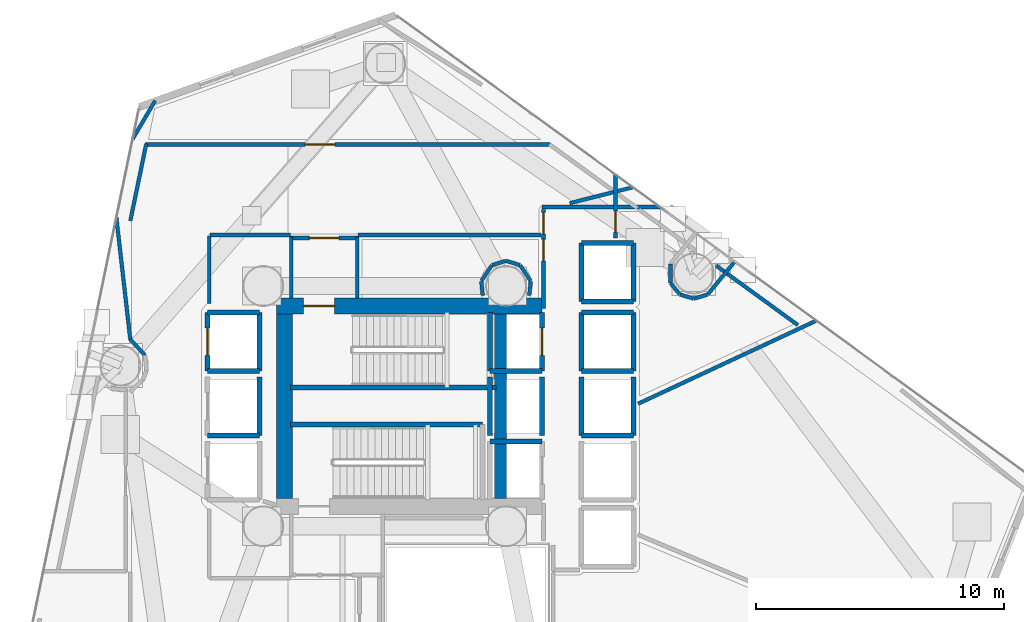
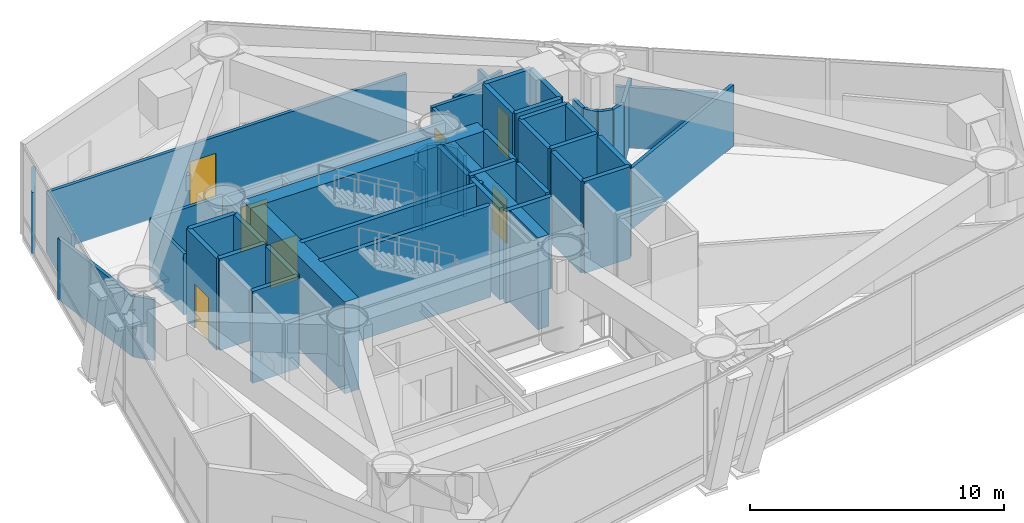
# One storey, part 18 of 22: 56 walls, 8 doors, 8 openings.
"""IFC4 building model written with IfcOpenShell, lengths in metres."""

from ifc_helpers import new_model, si_unit, direction, frame, frame_2d, origin, place, context, subcontext, project, spatial, rectangle, extrude, material, layer, layer_set, type_object, element, fill, save


model = new_model("IFC4")

# Units and contexts
model_context = context("Model", 3, precision=1e-05, world=origin(), true_north=direction((0.0, 1.0)))
body_context = subcontext(model_context, "Body", "Model", "MODEL_VIEW")
ifc_project = project(units=[si_unit("LENGTHUNIT", "METRE"), si_unit("AREAUNIT", "SQUARE_METRE"), si_unit("VOLUMEUNIT", "CUBIC_METRE"), si_unit("PLANEANGLEUNIT", "RADIAN"), si_unit("MASSUNIT", "GRAM", prefix="KILO")], contexts=[model_context])

# Site, building, storey
site_placement = place(None, origin())
site = spatial("IfcSite", under=ifc_project, at=site_placement, CompositionType="ELEMENT")
building_placement = place(site_placement, origin())
building = spatial("IfcBuilding", under=site, at=building_placement, Name="Qianvela Tower", CompositionType="ELEMENT")
storey_placement = place(building_placement, frame((0.0, 0.0, 93.199951171875)))
storey = spatial("IfcBuildingStorey", under=building, at=storey_placement, Name="L23", CompositionType="ELEMENT", Elevation=93.199951171875)

# Wall, opening, door
ifc_material_1 = material(Name="Concrete C60", Category="concrete")
ifc_layer_1 = layer(ifc_material_1, 0.64990234375)
ifc_layer_set_1 = layer_set([ifc_layer_1], Name="Concrete C60")
wall_type_1 = type_object("IfcWallType", Name="WT-CORE-650", PredefinedType="SHEAR", material=ifc_layer_set_1)
wall_1_placement = place(storey_placement, frame((29.1298828125, 32.7451171875, 0.0), z_axis=(0.0, 0.0, 1.0), x_axis=(1.0, 0.0, 0.0)))
wall_1 = element("IfcWall", 1, at=wall_1_placement, inside=storey, type_object=wall_type_1, Name="L23 North Core Shear Wall", PredefinedType="SHEAR", context=body_context, shape_type="SweptSolid", body=[
    extrude(rectangle(XDim=10.72021484375, YDim=0.64990234375, at=frame_2d((5.360107421875, 0.0))), origin(), (0.0, 0.0, 1.0), 4.420166015625),
])
opening_1_placement = place(wall_1_placement, frame((1.094970703125, 0.0, 0.0)))
opening_1 = element("IfcOpeningElement", 2, at=opening_1_placement, cuts=wall_1, Name="Opening D-ST1", PredefinedType="OPENING", context=body_context, shape_type="SweptSolid", body=[
    extrude(rectangle(XDim=1.25, YDim=2.14990234375, at=frame_2d((0.625, 1.074951171875))), frame((0.0, 0.3349609375, 0.0), z_axis=(0.0, -1.0, 0.0), x_axis=(1.0, 0.0, 0.0)), (0.0, 0.0, 1.0), 0.669921875),
])
ifc_material_2 = material(Name="Galvanised Fire Steel Q355B", Category="steel")
door_type_1 = type_object("IfcDoorType", Name="DT-STAIR-FD90", OperationType="NOTDEFINED", PredefinedType="DOOR", material=ifc_material_2)
door_1_placement = place(opening_1_placement, origin())
door_1 = element("IfcDoor", 3, at=door_1_placement, inside=storey, type_object=door_type_1, Name="L23 Stair ST-1 Exit Door", OperationType="SINGLE_SWING_RIGHT", OverallHeight=2.14990234375, OverallWidth=1.25, PredefinedType="DOOR", context=body_context, shape_type="SweptSolid", body=[
    extrude(rectangle(XDim=1.25, YDim=2.14990234375, at=frame_2d((0.625, 1.074951171875))), frame((0.0, 0.02490234375, 0.0), z_axis=(0.0, -1.0, 0.0), x_axis=(1.0, 0.0, 0.0)), (0.0, 0.0, 1.0), 0.050048828125),
])
fill(opening_1, door_1)

# Walls
wall_2_placement = place(storey_placement, frame((29.455078125, 24.97998046875, 0.0), z_axis=(0.0, 0.0, 1.0), x_axis=(0.0, 1.0, 0.0)))
element("IfcWall", 4, at=wall_2_placement, inside=storey, type_object=wall_type_1, Name="L23 West Core Shear Wall", PredefinedType="SHEAR", context=body_context, shape_type="SweptSolid", body=[
    extrude(rectangle(XDim=7.43994140625, YDim=0.64990234375, at=frame_2d((3.719970703125, 0.0))), origin(), (0.0, 0.0, 1.0), 4.420166015625),
])
wall_3_placement = place(storey_placement, frame((38.179931640625, 24.97998046875, 0.0), z_axis=(0.0, 0.0, 1.0), x_axis=(0.0, 1.0, 0.0)))
element("IfcWall", 5, at=wall_3_placement, inside=storey, type_object=wall_type_1, Name="L23 East Spine Core Shear Wall", PredefinedType="SHEAR", context=body_context, shape_type="SweptSolid", body=[
    extrude(rectangle(XDim=7.43994140625, YDim=0.5, at=frame_2d((3.719970703125, 0.0))), origin(), (0.0, 0.0, 1.0), 4.420166015625),
])
ifc_material_3 = material(Name="Fire-Rated Acoustic Gypsum Board")
ifc_layer_2 = layer(ifc_material_3, 0.14990234375)
ifc_layer_set_2 = layer_set([ifc_layer_2], Name="Fire-Rated Acoustic Gypsum Board")
wall_type_2 = type_object("IfcWallType", Name="WT-CORR-150", PredefinedType="PARTITIONING", material=ifc_layer_set_2)
wall_4_placement = place(storey_placement, frame((29.73095703125, 33.05810546875, 0.0), z_axis=(0.0, 0.0, 1.0), x_axis=(0.0, 1.0, 0.0)))
element("IfcWall", 6, at=wall_4_placement, inside=storey, type_object=wall_type_2, Name="L23 Partition 2", PredefinedType="PARTITIONING", context=body_context, shape_type="SweptSolid", body=[
    extrude(rectangle(XDim=2.4619140625, YDim=0.14990234375, at=frame_2d((1.23095703125, 0.0))), origin(), (0.0, 0.0, 1.0), 2.93994140625),
])

# Wall, opening, door
wall_5_placement = place(storey_placement, frame((29.699951171875, 35.489013671875, 0.0), z_axis=(0.0, 0.0, 1.0), x_axis=(1.0, 0.0, 0.0)))
wall_5 = element("IfcWall", 7, at=wall_5_placement, inside=storey, type_object=wall_type_2, Name="L23 Partition 3", PredefinedType="PARTITIONING", context=body_context, shape_type="SweptSolid", body=[
    extrude(rectangle(XDim=2.719970703125, YDim=0.14990234375, at=frame_2d((1.35986328125, 0.0))), origin(), (0.0, 0.0, 1.0), 2.93994140625),
])
opening_2_placement = place(wall_5_placement, frame((0.760009765625, 0.0, 0.0)))
opening_2 = element("IfcOpeningElement", 8, at=opening_2_placement, cuts=wall_5, Name="Opening D-LB1", PredefinedType="OPENING", context=body_context, shape_type="SweptSolid", body=[
    extrude(rectangle(XDim=1.199951171875, YDim=2.14990234375, at=frame_2d((0.60009765625, 1.074951171875))), frame((0.0, 0.0849609375, 0.0), z_axis=(0.0, -1.0, 0.0), x_axis=(1.0, 0.0, 0.0)), (0.0, 0.0, 1.0), 0.169921875),
])
ifc_material_4 = material(Name="Glazed Fire-Rated Steel Frame", Category="steel")
door_type_2 = type_object("IfcDoorType", Name="DT-LOBBY-FD90", OperationType="NOTDEFINED", PredefinedType="DOOR", material=ifc_material_4)
door_2_placement = place(opening_2_placement, origin())
door_2 = element("IfcDoor", 9, at=door_2_placement, inside=storey, type_object=door_type_2, Name="L23 Door L23 Firefighting Lobby North to L23 Mechanical Plant Corridor", OperationType="SINGLE_SWING_LEFT", OverallHeight=2.14990234375, OverallWidth=1.199951171875, PredefinedType="DOOR", context=body_context, shape_type="SweptSolid", body=[
    extrude(rectangle(XDim=1.199951171875, YDim=2.14990234375, at=frame_2d((0.60009765625, 1.074951171875))), frame((0.0, 0.02490234375, 0.0), z_axis=(0.0, -1.0, 0.0), x_axis=(1.0, 0.0, 0.0)), (0.0, 0.0, 1.0), 0.050048828125),
])
fill(opening_2, door_2)

# Wall
wall_6_placement = place(storey_placement, frame((32.388916015625, 35.52001953125, 0.0), z_axis=(0.0, 0.0, 1.0), x_axis=(0.0, -1.0, 0.0)))
element("IfcWall", 10, at=wall_6_placement, inside=storey, type_object=wall_type_2, Name="L23 Partition 4", PredefinedType="PARTITIONING", context=body_context, shape_type="SweptSolid", body=[
    extrude(rectangle(XDim=2.4619140625, YDim=0.14990234375, at=frame_2d((1.23095703125, 0.0))), origin(), (0.0, 0.0, 1.0), 2.93994140625),
])

# Wall, openings, doors
wall_7_placement = place(storey_placement, frame((39.910888671875, 32.639892578125, 0.0), z_axis=(0.0, 0.0, 1.0), x_axis=(0.0, 1.0, 0.0)))
wall_7 = element("IfcWall", 11, at=wall_7_placement, inside=storey, type_object=wall_type_2, Name="L23 Partition 10", PredefinedType="PARTITIONING", context=body_context, shape_type="SweptSolid", body=[
    extrude(rectangle(XDim=4.010009765625, YDim=0.14990234375, at=frame_2d((2.0048828125, 0.0))), origin(), (0.0, 0.0, 1.0), 2.93994140625),
])
opening_3_placement = place(wall_7_placement, frame((3.010009765625, 0.0, 0.0)))
opening_3 = element("IfcOpeningElement", 12, at=opening_3_placement, cuts=wall_7, Name="Opening D-LB2", PredefinedType="OPENING", context=body_context, shape_type="SweptSolid", body=[
    extrude(rectangle(XDim=0.860107421875, YDim=2.050048828125, at=frame_2d((0.43017578125, 1.02490234375))), frame((0.0, 0.0849609375, 0.0), z_axis=(0.0, -1.0, 0.0), x_axis=(1.0, 0.0, 0.0)), (0.0, 0.0, 1.0), 0.169921875),
])
opening_4_placement = place(wall_7_placement, frame((1.930419921875, 0.0, 0.0)))
opening_4 = element("IfcOpeningElement", 13, at=opening_4_placement, cuts=wall_7, Name="Opening D-LB2", PredefinedType="OPENING", context=body_context, shape_type="SweptSolid", body=[
    extrude(rectangle(XDim=0.860107421875, YDim=2.050048828125, at=frame_2d((0.43017578125, 1.02490234375))), frame((0.0, 0.0849609375, 0.0), z_axis=(0.0, -1.0, 0.0), x_axis=(1.0, 0.0, 0.0)), (0.0, 0.0, 1.0), 0.169921875),
])
ifc_material_5 = material(Name="Insulated Steel Fire Door Q355B", Category="steel")
door_type_3 = type_object("IfcDoorType", Name="DT-LOBBY-FD90-860", OperationType="NOTDEFINED", PredefinedType="DOOR", material=ifc_material_5)
door_3_placement = place(opening_3_placement, origin())
door_3 = element("IfcDoor", 14, at=door_3_placement, inside=storey, type_object=door_type_3, Name="L23 Door L23 Lift Lobby to L23 Mechanical Plant Corridor", OperationType="SINGLE_SWING_LEFT", OverallHeight=2.050048828125, OverallWidth=0.860107421875, PredefinedType="DOOR", context=body_context, shape_type="SweptSolid", body=[
    extrude(rectangle(XDim=0.860107421875, YDim=2.050048828125, at=frame_2d((0.43017578125, 1.02490234375))), frame((0.0, 0.02490234375, 0.0), z_axis=(0.0, -1.0, 0.0), x_axis=(1.0, 0.0, 0.0)), (0.0, 0.0, 1.0), 0.050048828125),
])
fill(opening_3, door_3)
door_4_placement = place(opening_4_placement, origin())
door_4 = element("IfcDoor", 15, at=door_4_placement, inside=storey, type_object=door_type_3, Name="L23 Door L23 Electrical Transformer and Switch Room to L23 Lift Lobby", OperationType="SINGLE_SWING_RIGHT", OverallHeight=2.050048828125, OverallWidth=0.860107421875, PredefinedType="DOOR", context=body_context, shape_type="SweptSolid", body=[
    extrude(rectangle(XDim=0.860107421875, YDim=2.050048828125, at=frame_2d((0.43017578125, 1.02490234375))), frame((0.0, 0.02490234375, 0.0), z_axis=(0.0, -1.0, 0.0), x_axis=(1.0, 0.0, 0.0)), (0.0, 0.0, 1.0), 0.050048828125),
])
fill(opening_4, door_4)

# Wall
wall_8_placement = place(storey_placement, frame((40.97802734375, 36.89599609375, 0.0), z_axis=(0.0, 0.0, 1.0), x_axis=(0.969602772959, 0.244684414441, 0.0)))
element("IfcWall", 16, at=wall_8_placement, inside=storey, type_object=wall_type_2, Name="L23 Partition 11", PredefinedType="PARTITIONING", context=body_context, shape_type="SweptSolid", body=[
    extrude(rectangle(XDim=2.619140625, YDim=0.14990234375, at=frame_2d((1.3095703125, 0.0))), origin(), (0.0, 0.0, 1.0), 2.93994140625),
])

# Wall, opening, door
wall_9_placement = place(storey_placement, frame((42.819091796875, 38.06494140625, 0.0), z_axis=(0.0, 0.0, 1.0), x_axis=(0.0, -1.0, 0.0)))
wall_9 = element("IfcWall", 17, at=wall_9_placement, inside=storey, type_object=wall_type_2, Name="L23 Partition 12", PredefinedType="PARTITIONING", context=body_context, shape_type="SweptSolid", body=[
    extrude(rectangle(XDim=2.5849609375, YDim=0.14990234375, at=frame_2d((1.29248046875, 0.0))), origin(), (0.0, 0.0, 1.0), 2.93994140625),
])
opening_5_placement = place(wall_9_placement, frame((1.489013671875, 0.0, 0.0)))
opening_5 = element("IfcOpeningElement", 18, at=opening_5_placement, cuts=wall_9, Name="Opening D-LB2", PredefinedType="OPENING", context=body_context, shape_type="SweptSolid", body=[
    extrude(rectangle(XDim=0.860107421875, YDim=2.050048828125, at=frame_2d((0.43017578125, 1.02490234375))), frame((0.0, 0.0849609375, 0.0), z_axis=(0.0, -1.0, 0.0), x_axis=(1.0, 0.0, 0.0)), (0.0, 0.0, 1.0), 0.169921875),
])
door_5_placement = place(opening_5_placement, origin())
door_5 = element("IfcDoor", 19, at=door_5_placement, inside=storey, type_object=door_type_3, Name="L23 Door L23 Air Handling and Smoke Exhaust Plant Room to L23 Lift Lobby", OperationType="SINGLE_SWING_LEFT", OverallHeight=2.050048828125, OverallWidth=0.860107421875, PredefinedType="DOOR", context=body_context, shape_type="SweptSolid", body=[
    extrude(rectangle(XDim=0.860107421875, YDim=2.050048828125, at=frame_2d((0.43017578125, 1.02490234375))), frame((0.0, 0.02490234375, 0.0), z_axis=(0.0, -1.0, 0.0), x_axis=(1.0, 0.0, 0.0)), (0.0, 0.0, 1.0), 0.050048828125),
])
fill(opening_5, door_5)

# Walls
wall_10_placement = place(storey_placement, frame((23.817138671875, 30.760986328125, 0.0), z_axis=(0.0, 0.0, 1.0), x_axis=(-0.679936833798, 0.733270688112, 0.0)))
element("IfcWall", 20, at=wall_10_placement, inside=storey, type_object=wall_type_2, Name="L23 Partition 42", PredefinedType="PARTITIONING", context=body_context, shape_type="SweptSolid", body=[
    extrude(rectangle(XDim=0.874267578125, YDim=0.14990234375, at=frame_2d((0.43701171875, 0.0))), origin(), (0.0, 0.0, 1.0), 2.93994140625),
])
wall_11_placement = place(storey_placement, frame((23.23095703125, 31.380859375, 0.0), z_axis=(0.0, 0.0, 1.0), x_axis=(-0.113685510306, 0.993516786344, 0.0)))
element("IfcWall", 21, at=wall_11_placement, inside=storey, type_object=wall_type_2, Name="L23 Partition 43", PredefinedType="PARTITIONING", context=body_context, shape_type="SweptSolid", body=[
    extrude(rectangle(XDim=4.95654296875, YDim=0.14990234375, at=frame_2d((2.478271484375, 0.0))), origin(), (0.0, 0.0, 1.0), 2.93994140625),
])
wall_12_placement = place(storey_placement, frame((23.23046875, 36.182373046875, 0.0), z_axis=(0.0, 0.0, 1.0), x_axis=(0.202407399899, 0.979301406343, 0.0)))
element("IfcWall", 22, at=wall_12_placement, inside=storey, type_object=wall_type_2, Name="L23 Partition 44", PredefinedType="PARTITIONING", context=body_context, shape_type="SweptSolid", body=[
    extrude(rectangle(XDim=3.177001953125, YDim=0.14990234375, at=frame_2d((1.58837890625, 0.0))), origin(), (0.0, 0.0, 1.0), 2.93994140625),
])

# Wall, opening, door
wall_13_placement = place(storey_placement, frame((23.84326171875, 39.26904296875, 0.0), z_axis=(0.0, 0.0, 1.0), x_axis=(1.0, 0.0, 0.0)))
wall_13 = element("IfcWall", 23, at=wall_13_placement, inside=storey, type_object=wall_type_2, Name="L23 Partition 45", PredefinedType="PARTITIONING", context=body_context, shape_type="SweptSolid", body=[
    extrude(rectangle(XDim=16.323974609375, YDim=0.14990234375, at=frame_2d((8.162109375, 0.0))), origin(), (0.0, 0.0, 1.0), 2.93994140625),
])
opening_6_placement = place(wall_13_placement, frame((6.44189453125, 0.0, 0.0)))
opening_6 = element("IfcOpeningElement", 24, at=opening_6_placement, cuts=wall_13, Name="Opening D-LB1", PredefinedType="OPENING", context=body_context, shape_type="SweptSolid", body=[
    extrude(rectangle(XDim=1.199951171875, YDim=2.14990234375, at=frame_2d((0.60009765625, 1.074951171875))), frame((0.0, 0.0849609375, 0.0), z_axis=(0.0, -1.0, 0.0), x_axis=(1.0, 0.0, 0.0)), (0.0, 0.0, 1.0), 0.169921875),
])
door_6_placement = place(opening_6_placement, origin())
door_6 = element("IfcDoor", 25, at=door_6_placement, inside=storey, type_object=door_type_2, Name="L23 Door L23 Fire Refuge Area 3 to L23 Mechanical Plant Corridor", OperationType="SINGLE_SWING_RIGHT", OverallHeight=2.14990234375, OverallWidth=1.199951171875, PredefinedType="DOOR", context=body_context, shape_type="SweptSolid", body=[
    extrude(rectangle(XDim=1.199951171875, YDim=2.14990234375, at=frame_2d((0.60009765625, 1.074951171875))), frame((0.0, 0.02490234375, 0.0), z_axis=(0.0, -1.0, 0.0), x_axis=(1.0, 0.0, 0.0)), (0.0, 0.0, 1.0), 0.050048828125),
])
fill(opening_6, door_6)

# Walls
wall_14_placement = place(storey_placement, frame((44.628173828125, 36.74365234375, 0.0), z_axis=(0.0, 0.0, 1.0), x_axis=(-0.999999742855, -0.000717139453, 0.0)))
element("IfcWall", 26, at=wall_14_placement, inside=storey, type_object=wall_type_2, Name="L23 Partition 47", PredefinedType="PARTITIONING", context=body_context, shape_type="SweptSolid", body=[
    extrude(rectangle(XDim=4.76611328125, YDim=0.14990234375, at=frame_2d((2.383056640625, 0.0))), origin(), (0.0, 0.0, 1.0), 2.93994140625),
])
wall_15_placement = place(storey_placement, frame((39.818115234375, 35.611083984375, 0.0), z_axis=(0.0, 0.0, 1.0), x_axis=(-1.0, 0.0, 0.0)))
element("IfcWall", 27, at=wall_15_placement, inside=storey, type_object=wall_type_2, Name="L23 Partition 49 seg 1", PredefinedType="PARTITIONING", context=body_context, shape_type="SweptSolid", body=[
    extrude(rectangle(XDim=7.398193359375, YDim=0.14990234375, at=frame_2d((3.69921875, 0.0))), origin(), (0.0, 0.0, 1.0), 2.93994140625),
])
wall_16_placement = place(storey_placement, frame((29.699951171875, 35.611083984375, 0.0), z_axis=(0.0, 0.0, 1.0), x_axis=(-1.0, 0.0, 0.0)))
element("IfcWall", 28, at=wall_16_placement, inside=storey, type_object=wall_type_2, Name="L23 Partition 49 seg 2", PredefinedType="PARTITIONING", context=body_context, shape_type="SweptSolid", body=[
    extrude(rectangle(XDim=3.25, YDim=0.14990234375, at=frame_2d((1.625, 0.0))), origin(), (0.0, 0.0, 1.0), 2.93994140625),
])
wall_17_placement = place(storey_placement, frame((26.4189453125, 35.580078125, 0.0), z_axis=(0.0, 0.0, 1.0), x_axis=(0.0, -1.0, 0.0)))
element("IfcWall", 29, at=wall_17_placement, inside=storey, type_object=wall_type_2, Name="L23 Partition 50", PredefinedType="PARTITIONING", context=body_context, shape_type="SweptSolid", body=[
    extrude(rectangle(XDim=2.728271484375, YDim=0.14990234375, at=frame_2d((1.3642578125, 0.0))), origin(), (0.0, 0.0, 1.0), 2.93994140625),
])
wall_18_placement = place(storey_placement, frame((23.325927734375, 39.490234375, 0.0), z_axis=(0.0, 0.0, 1.0), x_axis=(0.506460438257, 0.862263199076, 0.0)))
element("IfcWall", 30, at=wall_18_placement, inside=storey, type_object=wall_type_2, Name="L23 Partition 66", PredefinedType="PARTITIONING", context=body_context, shape_type="SweptSolid", body=[
    extrude(rectangle(XDim=1.792236328125, YDim=0.14990234375, at=frame_2d((0.89599609375, 0.0))), origin(), (0.0, 0.0, 1.0), 2.93994140625),
])
wall_19_placement = place(storey_placement, frame((43.733154296875, 28.795166015625, 0.0), z_axis=(0.0, 0.0, 1.0), x_axis=(0.906319515089, 0.422593109941, 0.0)))
element("IfcWall", 31, at=wall_19_placement, inside=storey, type_object=wall_type_2, Name="L23 Partition 82", PredefinedType="PARTITIONING", context=body_context, shape_type="SweptSolid", body=[
    extrude(rectangle(XDim=7.955322265625, YDim=0.14990234375, at=frame_2d((3.9775390625, 0.0))), origin(), (0.0, 0.0, 1.0), 2.93994140625),
])
wall_20_placement = place(storey_placement, frame((45.04296875, 34.433837890625, 0.0), z_axis=(0.0, 0.0, 1.0), x_axis=(0.0, -1.0, 0.0)))
element("IfcWall", 32, at=wall_20_placement, inside=storey, type_object=wall_type_2, Name="L23 Partition 101", PredefinedType="PARTITIONING", context=body_context, shape_type="SweptSolid", body=[
    extrude(rectangle(XDim=0.753662109375, YDim=0.14990234375, at=frame_2d((0.376953125, 0.0))), origin(), (0.0, 0.0, 1.0), 2.93994140625),
])
for number, where, z_axis, x_axis, name in (
    (33, (45.050048828125, 33.660400390625, 0.0), (0.0, 0.0, 1.0), (0.634329694458, -0.773062635709, 0.0), "L23 Partition 102"),
    (34, (45.427734375, 33.208251953125, 0.0), (0.0, 0.0, 1.0), (0.956952578659, -0.290244314669, 0.0), "L23 Partition 103"),
    (35, (45.992919921875, 33.042236328125, 0.0), (0.0, 0.0, 1.0), (0.956952578659, 0.290244314669, 0.0), "L23 Partition 104"),
):
    element("IfcWall", number, at=place(storey_placement, frame(where, z_axis=z_axis, x_axis=x_axis)), inside=storey, type_object=wall_type_2, Name=name, PredefinedType="PARTITIONING", context=body_context, shape_type="SweptSolid", body=[
        extrude(rectangle(XDim=0.572021484375, YDim=0.14990234375, at=frame_2d((0.2861328125, 0.0))), origin(), (0.0, 0.0, 1.0), 2.93994140625),
    ])
wall_21_placement = place(storey_placement, frame((46.55517578125, 33.21826171875, 0.0), z_axis=(0.0, 0.0, 1.0), x_axis=(0.634344749857, 0.773050281889, 0.0)))
element("IfcWall", 36, at=wall_21_placement, inside=storey, type_object=wall_type_2, Name="L23 Partition 105", PredefinedType="PARTITIONING", context=body_context, shape_type="SweptSolid", body=[
    extrude(rectangle(XDim=1.728515625, YDim=0.14990234375, at=frame_2d((0.8642578125, 0.0))), origin(), (0.0, 0.0, 1.0), 2.93994140625),
])
wall_22_placement = place(storey_placement, frame((46.88623046875, 34.3740234375, 0.0), z_axis=(0.0, 0.0, 1.0), x_axis=(0.808707605228, -0.58821085441, 0.0)))
element("IfcWall", 37, at=wall_22_placement, inside=storey, type_object=wall_type_2, Name="L23 Partition 107", PredefinedType="PARTITIONING", context=body_context, shape_type="SweptSolid", body=[
    extrude(rectangle(XDim=4.077880859375, YDim=0.14990234375, at=frame_2d((2.0390625, 0.0))), origin(), (0.0, 0.0, 1.0), 2.93994140625),
])
wall_23_placement = place(storey_placement, frame((39.3408203125, 33.169921875, 0.0), z_axis=(0.0, 0.0, 1.0), x_axis=(0.098193262045, 0.995167364461, 0.0)))
element("IfcWall", 38, at=wall_23_placement, inside=storey, type_object=wall_type_2, Name="L23 Partition 114", PredefinedType="PARTITIONING", context=body_context, shape_type="SweptSolid", body=[
    extrude(rectangle(XDim=0.57177734375, YDim=0.14990234375, at=frame_2d((0.285888671875, 0.0))), origin(), (0.0, 0.0, 1.0), 2.93994140625),
])
wall_24_placement = place(storey_placement, frame((39.391845703125, 33.759521484375, 0.0), z_axis=(0.0, 0.0, 1.0), x_axis=(-0.555746078923, 0.831352088926, 0.0)))
element("IfcWall", 39, at=wall_24_placement, inside=storey, type_object=wall_type_2, Name="L23 Partition 115", PredefinedType="PARTITIONING", context=body_context, shape_type="SweptSolid", body=[
    extrude(rectangle(XDim=0.75390625, YDim=0.14990234375, at=frame_2d((0.376953125, 0.0))), origin(), (0.0, 0.0, 1.0), 2.93994140625),
])
for number, where, z_axis, x_axis, name in (
    (40, (38.956298828125, 34.398681640625, 0.0), (0.0, 0.0, 1.0), (-0.956952578659, 0.290244314669, 0.0), "L23 Partition 116"),
    (41, (38.39111328125, 34.564697265625, 0.0), (0.0, 0.0, 1.0), (-0.956952578659, -0.290244314669, 0.0), "L23 Partition 117"),
):
    element("IfcWall", number, at=place(storey_placement, frame(where, z_axis=z_axis, x_axis=x_axis)), inside=storey, type_object=wall_type_2, Name=name, PredefinedType="PARTITIONING", context=body_context, shape_type="SweptSolid", body=[
        extrude(rectangle(XDim=0.572021484375, YDim=0.14990234375, at=frame_2d((0.2861328125, 0.0))), origin(), (0.0, 0.0, 1.0), 2.93994140625),
    ])
wall_25_placement = place(storey_placement, frame((37.826904296875, 34.38623046875, 0.0), z_axis=(0.0, 0.0, 1.0), x_axis=(-0.555522182913, -0.831501716349, 0.0)))
element("IfcWall", 42, at=wall_25_placement, inside=storey, type_object=wall_type_2, Name="L23 Partition 118", PredefinedType="PARTITIONING", context=body_context, shape_type="SweptSolid", body=[
    extrude(rectangle(XDim=0.753662109375, YDim=0.14990234375, at=frame_2d((0.376953125, 0.0))), origin(), (0.0, 0.0, 1.0), 2.93994140625),
])
wall_26_placement = place(storey_placement, frame((37.403076171875, 33.739013671875, 0.0), z_axis=(0.0, 0.0, 1.0), x_axis=(0.097770424665, -0.995208995167, 0.0)))
element("IfcWall", 43, at=wall_26_placement, inside=storey, type_object=wall_type_2, Name="L23 Partition 119", PredefinedType="PARTITIONING", context=body_context, shape_type="SweptSolid", body=[
    extrude(rectangle(XDim=0.57177734375, YDim=0.14990234375, at=frame_2d((0.285888671875, 0.0))), origin(), (0.0, 0.0, 1.0), 2.93994140625),
])
ifc_material_6 = material(Name="Concrete C50", Category="concrete")
ifc_layer_3 = layer(ifc_material_6, 0.199951171875)
ifc_layer_set_3 = layer_set([ifc_layer_3], Name="Concrete C50")
wall_type_3 = type_object("IfcWallType", Name="WT-SHAFT-200", PredefinedType="SOLIDWALL", material=ifc_layer_set_3)
wall_27_placement = place(storey_placement, frame((29.699951171875, 29.449951171875, 0.0), z_axis=(0.0, 0.0, 1.0), x_axis=(1.0, 0.0, 0.0)))
element("IfcWall", 44, at=wall_27_placement, inside=storey, type_object=wall_type_3, Name="L23 Stair ST-1 South Wall", PredefinedType="SOLIDWALL", context=body_context, shape_type="SweptSolid", body=[
    extrude(rectangle(XDim=8.300048828125, YDim=0.199951171875, at=frame_2d((4.14990234375, 0.0))), origin(), (0.0, 0.0, 1.0), 4.420166015625),
])
wall_28_placement = place(storey_placement, frame((29.699951171875, 27.9599609375, 0.0), z_axis=(0.0, 0.0, 1.0), x_axis=(1.0, 0.0, 0.0)))
element("IfcWall", 45, at=wall_28_placement, inside=storey, type_object=wall_type_3, Name="L23 Stair ST-2 North Wall", PredefinedType="SOLIDWALL", context=body_context, shape_type="SweptSolid", body=[
    extrude(rectangle(XDim=7.75, YDim=0.199951171875, at=frame_2d((3.875, 0.0))), origin(), (0.0, 0.0, 1.0), 4.420166015625),
])

# Wall, opening, door
wall_29_placement = place(storey_placement, frame((39.85009765625, 30.1201171875, 0.0), z_axis=(0.0, 0.0, 1.0), x_axis=(0.0, 1.0, 0.0)))
wall_29 = element("IfcWall", 46, at=wall_29_placement, inside=storey, type_object=wall_type_3, Name="L23 Lift FL-1 E Shaft Wall", PredefinedType="SOLIDWALL", context=body_context, shape_type="SweptSolid", body=[
    extrude(rectangle(XDim=2.35986328125, YDim=0.199951171875, at=frame_2d((1.179931640625, 0.0))), origin(), (0.0, 0.0, 1.0), 4.420166015625),
])
opening_7_placement = place(wall_29_placement, frame((0.6298828125, 0.0, 0.0)))
opening_7 = element("IfcOpeningElement", 47, at=opening_7_placement, cuts=wall_29, Name="Opening LD-01", PredefinedType="OPENING", context=body_context, shape_type="SweptSolid", body=[
    extrude(rectangle(XDim=1.10009765625, YDim=2.14990234375, at=frame_2d((0.550048828125, 1.074951171875))), frame((0.0, 0.10986328125, 0.0), z_axis=(0.0, -1.0, 0.0), x_axis=(1.0, 0.0, 0.0)), (0.0, 0.0, 1.0), 0.219970703125),
])
ifc_material_7 = material(Name="Brushed Stainless Steel Lift Landing Door", Category="steel")
door_type_4 = type_object("IfcDoorType", Name="DT-LIFT-SLIDE-1100", OperationType="SLIDING_TO_LEFT", PredefinedType="DOOR", material=ifc_material_7)
door_7_placement = place(opening_7_placement, origin())
door_7 = element("IfcDoor", 48, at=door_7_placement, inside=storey, type_object=door_type_4, Name="L23 Lift FL-1 Sliding Landing Door", OperationType="SLIDING_TO_LEFT", OverallHeight=2.14990234375, OverallWidth=1.10009765625, PredefinedType="DOOR", context=body_context, shape_type="SweptSolid", body=[
    extrude(rectangle(XDim=1.10009765625, YDim=2.14990234375, at=frame_2d((0.550048828125, 1.074951171875))), frame((0.0, 0.02490234375, 0.0), z_axis=(0.0, -1.0, 0.0), x_axis=(1.0, 0.0, 0.0)), (0.0, 0.0, 1.0), 0.050048828125),
])
fill(opening_7, door_7)

# Walls
wall_30_placement = place(storey_placement, frame((37.75, 30.1201171875, 0.0), z_axis=(0.0, 0.0, 1.0), x_axis=(0.0, 1.0, 0.0)))
element("IfcWall", 49, at=wall_30_placement, inside=storey, type_object=wall_type_3, Name="L23 Lift FL-1 W Shaft Wall", PredefinedType="SOLIDWALL", context=body_context, shape_type="SweptSolid", body=[
    extrude(rectangle(XDim=2.35986328125, YDim=0.199951171875, at=frame_2d((1.179931640625, 0.0))), origin(), (0.0, 0.0, 1.0), 4.420166015625),
])
for number, where, z_axis, x_axis, name in (
    (50, (37.75, 30.1201171875, 0.0), (0.0, 0.0, 1.0), (1.0, 0.0, 0.0), "L23 Lift FL-1 S Shaft Wall"),
    (51, (37.75, 27.280029296875, 0.0), (0.0, 0.0, 1.0), (1.0, 0.0, 0.0), "L23 Lift FL-2 N Shaft Wall"),
):
    element("IfcWall", number, at=place(storey_placement, frame(where, z_axis=z_axis, x_axis=x_axis)), inside=storey, type_object=wall_type_3, Name=name, PredefinedType="SOLIDWALL", context=body_context, shape_type="SweptSolid", body=[
        extrude(rectangle(XDim=2.10009765625, YDim=0.199951171875, at=frame_2d((1.050048828125, 0.0))), origin(), (0.0, 0.0, 1.0), 4.420166015625),
    ])
wall_31_placement = place(storey_placement, frame((28.449951171875, 30.1201171875, 0.0), z_axis=(0.0, 0.0, 1.0), x_axis=(0.0, 1.0, 0.0)))
element("IfcWall", 52, at=wall_31_placement, inside=storey, type_object=wall_type_3, Name="L23 Lift PL-L1 E Shaft Wall", PredefinedType="SOLIDWALL", context=body_context, shape_type="SweptSolid", body=[
    extrude(rectangle(XDim=2.35986328125, YDim=0.199951171875, at=frame_2d((1.179931640625, 0.0))), origin(), (0.0, 0.0, 1.0), 4.420166015625),
])

# Wall, opening, door
wall_32_placement = place(storey_placement, frame((26.35009765625, 30.1201171875, 0.0), z_axis=(0.0, 0.0, 1.0), x_axis=(0.0, 1.0, 0.0)))
wall_32 = element("IfcWall", 53, at=wall_32_placement, inside=storey, type_object=wall_type_3, Name="L23 Lift PL-L1 W Shaft Wall", PredefinedType="SOLIDWALL", context=body_context, shape_type="SweptSolid", body=[
    extrude(rectangle(XDim=2.35986328125, YDim=0.199951171875, at=frame_2d((1.179931640625, 0.0))), origin(), (0.0, 0.0, 1.0), 4.420166015625),
])
opening_8_placement = place(wall_32_placement, frame((0.6298828125, 0.0, 0.0)))
opening_8 = element("IfcOpeningElement", 54, at=opening_8_placement, cuts=wall_32, Name="Opening LD-01", PredefinedType="OPENING", context=body_context, shape_type="SweptSolid", body=[
    extrude(rectangle(XDim=1.10009765625, YDim=2.14990234375, at=frame_2d((0.550048828125, 1.074951171875))), frame((0.0, 0.10986328125, 0.0), z_axis=(0.0, -1.0, 0.0), x_axis=(1.0, 0.0, 0.0)), (0.0, 0.0, 1.0), 0.219970703125),
])
door_8_placement = place(opening_8_placement, origin())
door_8 = element("IfcDoor", 55, at=door_8_placement, inside=storey, type_object=door_type_4, Name="L23 Lift PL-L1 Sliding Landing Door", OperationType="SLIDING_TO_LEFT", OverallHeight=2.14990234375, OverallWidth=1.10009765625, PredefinedType="DOOR", context=body_context, shape_type="SweptSolid", body=[
    extrude(rectangle(XDim=1.10009765625, YDim=2.14990234375, at=frame_2d((0.550048828125, 1.074951171875))), frame((0.0, 0.02490234375, 0.0), z_axis=(0.0, -1.0, 0.0), x_axis=(1.0, 0.0, 0.0)), (0.0, 0.0, 1.0), 0.050048828125),
])
fill(opening_8, door_8)

# Walls
for number, where, z_axis, x_axis, name in (
    (56, (26.35009765625, 32.47998046875, 0.0), (0.0, 0.0, 1.0), (1.0, 0.0, 0.0), "L23 Lift PL-L1 N Shaft Wall"),
    (57, (26.35009765625, 30.1201171875, 0.0), (0.0, 0.0, 1.0), (1.0, 0.0, 0.0), "L23 Lift PL-L1 S Shaft Wall"),
):
    element("IfcWall", number, at=place(storey_placement, frame(where, z_axis=z_axis, x_axis=x_axis)), inside=storey, type_object=wall_type_3, Name=name, PredefinedType="SOLIDWALL", context=body_context, shape_type="SweptSolid", body=[
        extrude(rectangle(XDim=2.099853515625, YDim=0.199951171875, at=frame_2d((1.0498046875, 0.0))), origin(), (0.0, 0.0, 1.0), 4.420166015625),
    ])
wall_33_placement = place(storey_placement, frame((28.449951171875, 27.52001953125, 0.0), z_axis=(0.0, 0.0, 1.0), x_axis=(0.0, 1.0, 0.0)))
element("IfcWall", 58, at=wall_33_placement, inside=storey, type_object=wall_type_3, Name="L23 Lift PL-L2 E Shaft Wall", PredefinedType="SOLIDWALL", context=body_context, shape_type="SweptSolid", body=[
    extrude(rectangle(XDim=2.35986328125, YDim=0.199951171875, at=frame_2d((1.179931640625, 0.0))), origin(), (0.0, 0.0, 1.0), 4.420166015625),
])
wall_34_placement = place(storey_placement, frame((26.35009765625, 27.52001953125, 0.0), z_axis=(0.0, 0.0, 1.0), x_axis=(1.0, 0.0, 0.0)))
element("IfcWall", 59, at=wall_34_placement, inside=storey, type_object=wall_type_3, Name="L23 Lift PL-L2 S Shaft Wall", PredefinedType="SOLIDWALL", context=body_context, shape_type="SweptSolid", body=[
    extrude(rectangle(XDim=2.099853515625, YDim=0.199951171875, at=frame_2d((1.0498046875, 0.0))), origin(), (0.0, 0.0, 1.0), 4.420166015625),
])
for number, where, z_axis, x_axis, name in (
    (60, (43.550048828125, 30.1201171875, 0.0), (0.0, 0.0, 1.0), (0.0, 1.0, 0.0), "L23 Lift PL-M1 E Shaft Wall"),
    (61, (41.449951171875, 30.1201171875, 0.0), (0.0, 0.0, 1.0), (0.0, 1.0, 0.0), "L23 Lift PL-M1 W Shaft Wall"),
):
    element("IfcWall", number, at=place(storey_placement, frame(where, z_axis=z_axis, x_axis=x_axis)), inside=storey, type_object=wall_type_3, Name=name, PredefinedType="SOLIDWALL", context=body_context, shape_type="SweptSolid", body=[
        extrude(rectangle(XDim=2.35986328125, YDim=0.199951171875, at=frame_2d((1.179931640625, 0.0))), origin(), (0.0, 0.0, 1.0), 4.420166015625),
    ])
for number, where, z_axis, x_axis, name in (
    (62, (41.449951171875, 32.47998046875, 0.0), (0.0, 0.0, 1.0), (1.0, 0.0, 0.0), "L23 Lift PL-M1 N Shaft Wall"),
    (63, (41.449951171875, 30.1201171875, 0.0), (0.0, 0.0, 1.0), (1.0, 0.0, 0.0), "L23 Lift PL-M1 S Shaft Wall"),
):
    element("IfcWall", number, at=place(storey_placement, frame(where, z_axis=z_axis, x_axis=x_axis)), inside=storey, type_object=wall_type_3, Name=name, PredefinedType="SOLIDWALL", context=body_context, shape_type="SweptSolid", body=[
        extrude(rectangle(XDim=2.10009765625, YDim=0.199951171875, at=frame_2d((1.050048828125, 0.0))), origin(), (0.0, 0.0, 1.0), 4.420166015625),
    ])
for number, where, z_axis, x_axis, name in (
    (64, (43.550048828125, 27.52001953125, 0.0), (0.0, 0.0, 1.0), (0.0, 1.0, 0.0), "L23 Lift PL-M2 E Shaft Wall"),
    (65, (41.449951171875, 27.52001953125, 0.0), (0.0, 0.0, 1.0), (0.0, 1.0, 0.0), "L23 Lift PL-M2 W Shaft Wall"),
):
    element("IfcWall", number, at=place(storey_placement, frame(where, z_axis=z_axis, x_axis=x_axis)), inside=storey, type_object=wall_type_3, Name=name, PredefinedType="SOLIDWALL", context=body_context, shape_type="SweptSolid", body=[
        extrude(rectangle(XDim=2.35986328125, YDim=0.199951171875, at=frame_2d((1.179931640625, 0.0))), origin(), (0.0, 0.0, 1.0), 4.420166015625),
    ])
wall_35_placement = place(storey_placement, frame((41.449951171875, 27.52001953125, 0.0), z_axis=(0.0, 0.0, 1.0), x_axis=(1.0, 0.0, 0.0)))
element("IfcWall", 66, at=wall_35_placement, inside=storey, type_object=wall_type_3, Name="L23 Lift PL-M2 S Shaft Wall", PredefinedType="SOLIDWALL", context=body_context, shape_type="SweptSolid", body=[
    extrude(rectangle(XDim=2.10009765625, YDim=0.199951171875, at=frame_2d((1.050048828125, 0.0))), origin(), (0.0, 0.0, 1.0), 4.420166015625),
])
for number, where, z_axis, x_axis, name in (
    (67, (39.85009765625, 27.52001953125, 0.0), (0.0, 0.0, 1.0), (0.0, 1.0, 0.0), "L23 Lift PL-H1 E Shaft Wall"),
    (68, (37.75, 27.52001953125, 0.0), (0.0, 0.0, 1.0), (0.0, 1.0, 0.0), "L23 Lift PL-H1 W Shaft Wall"),
):
    element("IfcWall", number, at=place(storey_placement, frame(where, z_axis=z_axis, x_axis=x_axis)), inside=storey, type_object=wall_type_3, Name=name, PredefinedType="SOLIDWALL", context=body_context, shape_type="SweptSolid", body=[
        extrude(rectangle(XDim=2.35986328125, YDim=0.199951171875, at=frame_2d((1.179931640625, 0.0))), origin(), (0.0, 0.0, 1.0), 4.420166015625),
    ])
for number, where, z_axis, x_axis, name in (
    (69, (43.550048828125, 32.919921875, 0.0), (0.0, 0.0, 1.0), (0.0, 1.0, 0.0), "L23 Lift PL-H3 E Shaft Wall"),
    (70, (41.449951171875, 32.919921875, 0.0), (0.0, 0.0, 1.0), (0.0, 1.0, 0.0), "L23 Lift PL-H3 W Shaft Wall"),
):
    element("IfcWall", number, at=place(storey_placement, frame(where, z_axis=z_axis, x_axis=x_axis)), inside=storey, type_object=wall_type_3, Name=name, PredefinedType="SOLIDWALL", context=body_context, shape_type="SweptSolid", body=[
        extrude(rectangle(XDim=2.360107421875, YDim=0.199951171875, at=frame_2d((1.18017578125, 0.0))), origin(), (0.0, 0.0, 1.0), 4.420166015625),
    ])
for number, where, z_axis, x_axis, name in (
    (71, (41.449951171875, 35.280029296875, 0.0), (0.0, 0.0, 1.0), (1.0, 0.0, 0.0), "L23 Lift PL-H3 N Shaft Wall"),
    (72, (41.449951171875, 32.919921875, 0.0), (0.0, 0.0, 1.0), (1.0, 0.0, 0.0), "L23 Lift PL-H3 S Shaft Wall"),
):
    element("IfcWall", number, at=place(storey_placement, frame(where, z_axis=z_axis, x_axis=x_axis)), inside=storey, type_object=wall_type_3, Name=name, PredefinedType="SOLIDWALL", context=body_context, shape_type="SweptSolid", body=[
        extrude(rectangle(XDim=2.10009765625, YDim=0.199951171875, at=frame_2d((1.050048828125, 0.0))), origin(), (0.0, 0.0, 1.0), 4.420166015625),
    ])

save(model, "model.ifc")
